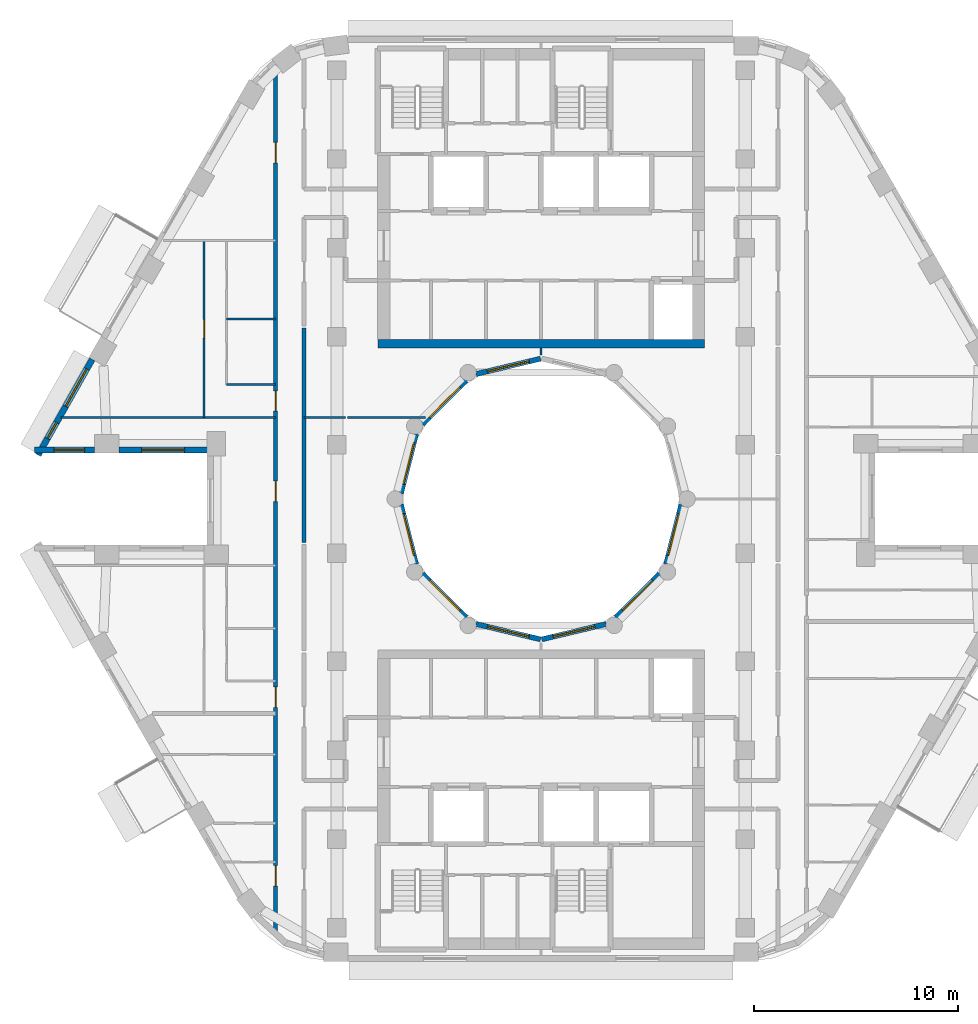
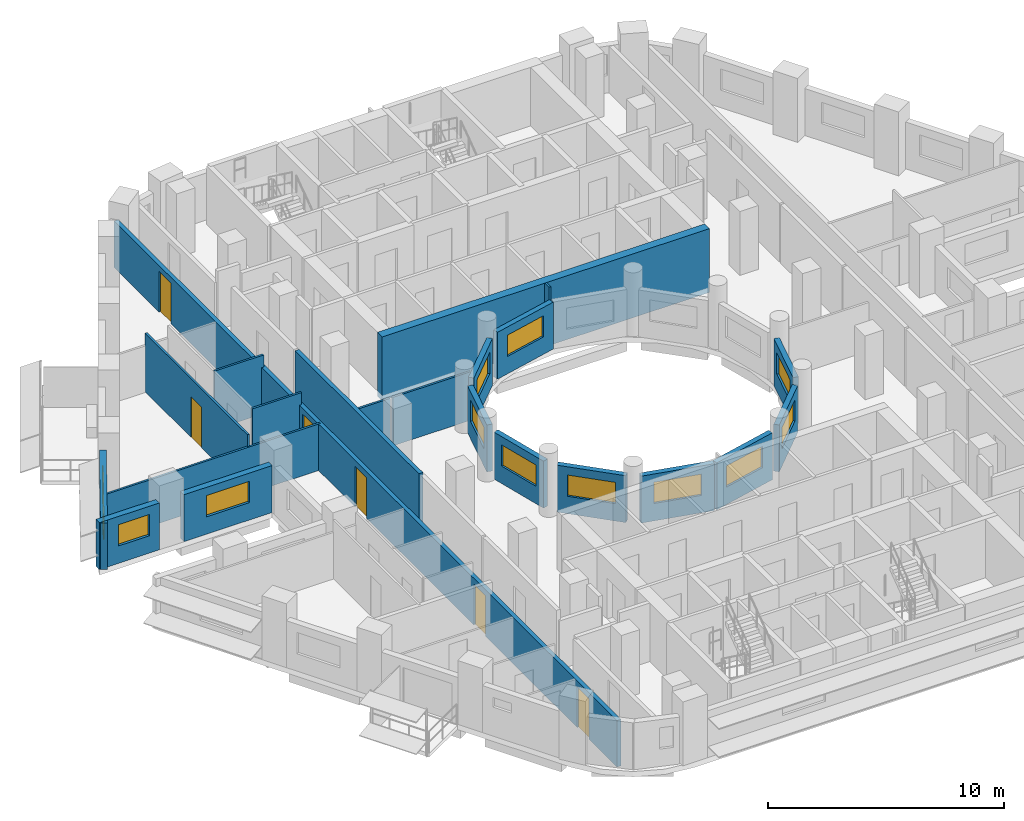
# One storey, part 5 of 17: 22 walls, 13 windows, 6 doors, 19 openings.
"""IFC4 building model written with IfcOpenShell, lengths in metres."""

from ifc_helpers import new_model, si_unit, direction, frame, frame_2d, origin, place, context, subcontext, project, spatial, rectangle, extrude, material, layer, layer_set, type_object, element, fill, save


model = new_model("IFC4")

# Units and contexts
model_context = context("Model", 3, precision=1e-05, world=origin(), true_north=direction((0.0, 1.0)))
body_context = subcontext(model_context, "Body", "Model", "MODEL_VIEW")
ifc_project = project(units=[si_unit("LENGTHUNIT", "METRE"), si_unit("AREAUNIT", "SQUARE_METRE"), si_unit("VOLUMEUNIT", "CUBIC_METRE"), si_unit("PLANEANGLEUNIT", "RADIAN"), si_unit("MASSUNIT", "GRAM", prefix="KILO")], contexts=[model_context])

# Site, building, storey
site_placement = place(None, origin())
site = spatial("IfcSite", under=ifc_project, at=site_placement, CompositionType="ELEMENT")
building_placement = place(site_placement, origin())
building = spatial("IfcBuilding", under=site, at=building_placement, Name="Nakaniwa Court", CompositionType="ELEMENT")
storey_placement = place(building_placement, frame((0.0, 0.0, 206.39990234375)))
storey = spatial("IfcBuildingStorey", under=building, at=storey_placement, Name="L54", CompositionType="ELEMENT", Elevation=206.39990234375)

# Wall
ifc_material_1 = material(Name="Acoustic double stud partition")
ifc_layer_1 = layer(ifc_material_1, 0.199951171875)
ifc_layer_set_1 = layer_set([ifc_layer_1], Name="Acoustic double stud partition")
wall_type_1 = type_object("IfcWallType", Name="Acoustic double stud partition 200", PredefinedType="PARTITIONING", material=ifc_layer_set_1)
wall_1_placement = place(storey_placement, frame((68.39990234375, 77.877197265625, 0.0), z_axis=(0.0, 0.0, 1.0), x_axis=(0.0, 1.0, 0.0)))
element("IfcWall", 1, at=wall_1_placement, inside=storey, type_object=wall_type_1, Name="Partition PW-104", PredefinedType="PARTITIONING", context=body_context, shape_type="SweptSolid", body=[
    extrude(rectangle(XDim=10.485595703125, YDim=0.199951171875, at=frame_2d((5.24267578125, 0.0))), origin(), (0.0, 0.0, 1.0), 3.025146484375),
])

# Wall, openings, doors
wall_2_placement = place(storey_placement, frame((67.0, 58.67431640625, 0.0), z_axis=(0.0, 0.0, 1.0), x_axis=(0.0, 1.0, 0.0)))
wall_2 = element("IfcWall", 2, at=wall_2_placement, inside=storey, type_object=wall_type_1, Name="Partition PW-107", PredefinedType="PARTITIONING", context=body_context, shape_type="SweptSolid", body=[
    extrude(rectangle(XDim=42.591796875, YDim=0.199951171875, at=frame_2d((21.2958984375, 0.0))), origin(), (0.0, 0.0, 1.0), 2.405029296875),
])
opening_1_placement = place(wall_2_placement, frame((2.3759765625, 0.0, 0.0)))
opening_1 = element("IfcOpeningElement", 3, at=opening_1_placement, cuts=wall_2, Name="Opening D-01-03", PredefinedType="OPENING", context=body_context, shape_type="SweptSolid", body=[
    extrude(rectangle(XDim=1.0, YDim=2.10009765625, at=frame_2d((0.5, 1.050048828125))), frame((0.0, 0.10986328125, 0.0), z_axis=(0.0, -1.0, 0.0), x_axis=(1.0, 0.0, 0.0)), (0.0, 0.0, 1.0), 0.219970703125),
])
opening_2_placement = place(wall_2_placement, frame((11.1259765625, 0.0, 0.0)))
opening_2 = element("IfcOpeningElement", 4, at=opening_2_placement, cuts=wall_2, Name="Opening D-01-04", PredefinedType="OPENING", context=body_context, shape_type="SweptSolid", body=[
    extrude(rectangle(XDim=1.0, YDim=2.10009765625, at=frame_2d((0.5, 1.050048828125))), frame((0.0, 0.10986328125, 0.0), z_axis=(0.0, -1.0, 0.0), x_axis=(1.0, 0.0, 0.0)), (0.0, 0.0, 1.0), 0.219970703125),
])
opening_3_placement = place(wall_2_placement, frame((25.6259765625, 0.0, 0.0)))
opening_3 = element("IfcOpeningElement", 5, at=opening_3_placement, cuts=wall_2, Name="Opening D-01-05", PredefinedType="OPENING", context=body_context, shape_type="SweptSolid", body=[
    extrude(rectangle(XDim=1.0, YDim=2.10009765625, at=frame_2d((0.5, 1.050048828125))), frame((0.0, 0.10986328125, 0.0), z_axis=(0.0, -1.0, 0.0), x_axis=(1.0, 0.0, 0.0)), (0.0, 0.0, 1.0), 0.219970703125),
])
opening_4_placement = place(wall_2_placement, frame((21.199951171875, 0.0, 0.0)))
opening_4 = element("IfcOpeningElement", 6, at=opening_4_placement, cuts=wall_2, Name="Opening D-02-10", PredefinedType="OPENING", context=body_context, shape_type="SweptSolid", body=[
    extrude(rectangle(XDim=1.0, YDim=2.10009765625, at=frame_2d((0.5, 1.050048828125))), frame((0.0, 0.10986328125, 0.0), z_axis=(0.0, -1.0, 0.0), x_axis=(1.0, 0.0, 0.0)), (0.0, 0.0, 1.0), 0.219970703125),
])
opening_5_placement = place(wall_2_placement, frame((37.7880859375, 0.0, 0.0)))
opening_5 = element("IfcOpeningElement", 7, at=opening_5_placement, cuts=wall_2, Name="Opening D-02-11", PredefinedType="OPENING", context=body_context, shape_type="SweptSolid", body=[
    extrude(rectangle(XDim=1.0, YDim=2.10009765625, at=frame_2d((0.5, 1.050048828125))), frame((0.0, 0.10986328125, 0.0), z_axis=(0.0, -1.0, 0.0), x_axis=(1.0, 0.0, 0.0)), (0.0, 0.0, 1.0), 0.219970703125),
])
ifc_material_2 = material(Name="Solid core timber door set, black veneer", Category="wood")
door_type_1 = type_object("IfcDoorType", Name="Flat entrance door 1000", OperationType="NOTDEFINED", PredefinedType="DOOR", material=ifc_material_2)
door_1_placement = place(opening_1_placement, origin())
door_1 = element("IfcDoor", 8, at=door_1_placement, inside=storey, type_object=door_type_1, Name="Door D-01-03 L54-042", OperationType="SINGLE_SWING_LEFT", OverallHeight=2.10009765625, OverallWidth=1.0, PredefinedType="DOOR", context=body_context, shape_type="SweptSolid", body=[
    extrude(rectangle(XDim=1.0, YDim=2.10009765625, at=frame_2d((0.5, 1.050048828125))), frame((0.0, 0.02490234375, 0.0), z_axis=(0.0, -1.0, 0.0), x_axis=(1.0, 0.0, 0.0)), (0.0, 0.0, 1.0), 0.050048828125),
])
fill(opening_1, door_1)
door_2_placement = place(opening_2_placement, origin())
door_2 = element("IfcDoor", 9, at=door_2_placement, inside=storey, type_object=door_type_1, Name="Door D-01-04 L54-046", OperationType="SINGLE_SWING_LEFT", OverallHeight=2.10009765625, OverallWidth=1.0, PredefinedType="DOOR", context=body_context, shape_type="SweptSolid", body=[
    extrude(rectangle(XDim=1.0, YDim=2.10009765625, at=frame_2d((0.5, 1.050048828125))), frame((0.0, 0.02490234375, 0.0), z_axis=(0.0, -1.0, 0.0), x_axis=(1.0, 0.0, 0.0)), (0.0, 0.0, 1.0), 0.050048828125),
])
fill(opening_2, door_2)
door_3_placement = place(opening_3_placement, origin())
door_3 = element("IfcDoor", 10, at=door_3_placement, inside=storey, type_object=door_type_1, Name="Door D-01-05 L54-052", OperationType="SINGLE_SWING_LEFT", OverallHeight=2.10009765625, OverallWidth=1.0, PredefinedType="DOOR", context=body_context, shape_type="SweptSolid", body=[
    extrude(rectangle(XDim=1.0, YDim=2.10009765625, at=frame_2d((0.5, 1.050048828125))), frame((0.0, 0.02490234375, 0.0), z_axis=(0.0, -1.0, 0.0), x_axis=(1.0, 0.0, 0.0)), (0.0, 0.0, 1.0), 0.050048828125),
])
fill(opening_3, door_3)
door_type_2 = type_object("IfcDoorType", Name="Internal door 1000", OperationType="NOTDEFINED", PredefinedType="DOOR", material=ifc_material_2)
door_4_placement = place(opening_4_placement, origin())
door_4 = element("IfcDoor", 11, at=door_4_placement, inside=storey, type_object=door_type_2, Name="Door D-02-10 L54-059", OperationType="SINGLE_SWING_RIGHT", OverallHeight=2.10009765625, OverallWidth=1.0, PredefinedType="DOOR", context=body_context, shape_type="SweptSolid", body=[
    extrude(rectangle(XDim=1.0, YDim=2.10009765625, at=frame_2d((0.5, 1.050048828125))), frame((0.0, 0.02490234375, 0.0), z_axis=(0.0, -1.0, 0.0), x_axis=(1.0, 0.0, 0.0)), (0.0, 0.0, 1.0), 0.050048828125),
])
fill(opening_4, door_4)
door_5_placement = place(opening_5_placement, origin())
door_5 = element("IfcDoor", 12, at=door_5_placement, inside=storey, type_object=door_type_2, Name="Door D-02-11 L54-060", OperationType="SINGLE_SWING_LEFT", OverallHeight=2.10009765625, OverallWidth=1.0, PredefinedType="DOOR", context=body_context, shape_type="SweptSolid", body=[
    extrude(rectangle(XDim=1.0, YDim=2.10009765625, at=frame_2d((0.5, 1.050048828125))), frame((0.0, 0.02490234375, 0.0), z_axis=(0.0, -1.0, 0.0), x_axis=(1.0, 0.0, 0.0)), (0.0, 0.0, 1.0), 0.050048828125),
])
fill(opening_5, door_5)

# Wall, openings, windows
ifc_material_3 = material(Name="Charcoal ceramic cladding")
ifc_layer_2 = layer(ifc_material_3, 0.02, Name="Ceramic cladding")
ifc_material_4 = material(Name="Ventilated air cavity")
ifc_layer_3 = layer(ifc_material_4, 0.04, ventilated=True, Name="Ventilated cavity")
ifc_material_5 = material(Name="Mineral wool insulation")
ifc_layer_4 = layer(ifc_material_5, 0.1, Name="Insulation")
ifc_material_6 = material(Name="Cement bonded sheathing board")
ifc_layer_5 = layer(ifc_material_6, 0.012, Name="Sheathing")
ifc_material_7 = material(Name="Cold-formed galvanised stud frame with mineral wool infill")
ifc_layer_6 = layer(ifc_material_7, 0.1, Name="Stud frame")
ifc_material_8 = material(Name="Fire-rated gypsum plasterboard lining")
ifc_layer_7 = layer(ifc_material_8, 0.028, Name="Lining")
ifc_layer_set_2 = layer_set([ifc_layer_2, ifc_layer_3, ifc_layer_4, ifc_layer_5, ifc_layer_6, ifc_layer_7], Name="Charcoal ceramic faced external wall system")
wall_type_2 = type_object("IfcWallType", Name="Black ceramic faced external wall 300", PredefinedType="SOLIDWALL", material=ifc_layer_set_2)
wall_3_placement = place(storey_placement, frame((58.023193359375, 86.843017578125, 0.0), z_axis=(0.0, 0.0, 1.0), x_axis=(-0.492033360928, -0.870576344575, 0.0)))
wall_3 = element("IfcWall", 13, at=wall_3_placement, inside=storey, type_object=wall_type_2, Name="L54 external wall 14", PredefinedType="SOLIDWALL", context=body_context, shape_type="SweptSolid", body=[
    extrude(rectangle(XDim=5.38671875, YDim=0.300048828125, at=frame_2d((2.693359375, 0.0))), origin(), (0.0, 0.0, 1.0), 2.425048828125),
])
opening_6_placement = place(wall_3_placement, frame((0.547607421875, 0.0, 0.89990234375)))
opening_6 = element("IfcOpeningElement", 14, at=opening_6_placement, cuts=wall_3, Name="Opening W7.15", PredefinedType="OPENING", context=body_context, shape_type="SweptSolid", body=[
    extrude(rectangle(XDim=2.10009765625, YDim=1.10009765625, at=frame_2d((1.050048828125, 0.550048828125))), frame((0.0, 0.159912109375, 0.0), z_axis=(0.0, -1.0, 0.0), x_axis=(1.0, 0.0, 0.0)), (0.0, 0.0, 1.0), 0.320068359375),
])
opening_7_placement = place(wall_3_placement, frame((3.552490234375, 0.0, 0.89990234375)))
opening_7 = element("IfcOpeningElement", 15, at=opening_7_placement, cuts=wall_3, Name="Opening W9.16", PredefinedType="OPENING", context=body_context, shape_type="SweptSolid", body=[
    extrude(rectangle(XDim=0.89990234375, YDim=1.10009765625, at=frame_2d((0.449951171875, 0.550048828125))), frame((0.0, 0.159912109375, 0.0), z_axis=(0.0, -1.0, 0.0), x_axis=(1.0, 0.0, 0.0)), (0.0, 0.0, 1.0), 0.320068359375),
])
ifc_material_9 = material(Name="Black anodised aluminium frame with dark low-E laminated double glazing", Category="aluminium")
window_type_1 = type_object("IfcWindowType", Name="Dark glass window 2100x1100 sill 900", PartitioningType="SINGLE_PANEL", PredefinedType="WINDOW", material=ifc_material_9)
window_1_placement = place(opening_6_placement, origin())
window_1 = element("IfcWindow", 16, at=window_1_placement, inside=storey, type_object=window_type_1, Name="L54 living window 14-0", OverallHeight=1.10009765625, OverallWidth=2.10009765625, PartitioningType="SINGLE_PANEL", PredefinedType="WINDOW", context=body_context, shape_type="SweptSolid", body=[
    extrude(rectangle(XDim=2.10009765625, YDim=1.10009765625, at=frame_2d((1.050048828125, 0.550048828125))), frame((0.0, 0.030029296875, 0.0), z_axis=(0.0, -1.0, 0.0), x_axis=(1.0, 0.0, 0.0)), (0.0, 0.0, 1.0), 0.06005859375),
])
fill(opening_6, window_1)
window_type_2 = type_object("IfcWindowType", Name="Dark glass window 900x1100 sill 900", PartitioningType="SINGLE_PANEL", PredefinedType="WINDOW", material=ifc_material_9)
window_2_placement = place(opening_7_placement, origin())
window_2 = element("IfcWindow", 17, at=window_2_placement, inside=storey, type_object=window_type_2, Name="L54 habitable room window 14-1", OverallHeight=1.10009765625, OverallWidth=0.89990234375, PartitioningType="SINGLE_PANEL", PredefinedType="WINDOW", context=body_context, shape_type="SweptSolid", body=[
    extrude(rectangle(XDim=0.89990234375, YDim=1.10009765625, at=frame_2d((0.449951171875, 0.550048828125))), frame((0.0, 0.030029296875, 0.0), z_axis=(0.0, -1.0, 0.0), x_axis=(1.0, 0.0, 0.0)), (0.0, 0.0, 1.0), 0.06005859375),
])
fill(opening_7, window_2)

# Wall, opening, window
wall_4_placement = place(storey_placement, frame((55.2021484375, 82.39990234375, 0.0), z_axis=(0.0, 0.0, 1.0), x_axis=(1.0, 0.0, 0.0)))
wall_4 = element("IfcWall", 18, at=wall_4_placement, inside=storey, type_object=wall_type_2, Name="L54 external wall 15", PredefinedType="SOLIDWALL", context=body_context, shape_type="SweptSolid", body=[
    extrude(rectangle(XDim=2.937744140625, YDim=0.300048828125, at=frame_2d((1.46875, 0.0))), origin(), (0.0, 0.0, 1.0), 2.425048828125),
])
opening_8_placement = place(wall_4_placement, frame((0.944091796875, 0.0, 0.89990234375)))
opening_8 = element("IfcOpeningElement", 19, at=opening_8_placement, cuts=wall_4, Name="Opening W5.17", PredefinedType="OPENING", context=body_context, shape_type="SweptSolid", body=[
    extrude(rectangle(XDim=1.5, YDim=1.10009765625, at=frame_2d((0.75, 0.550048828125))), frame((0.0, 0.159912109375, 0.0), z_axis=(0.0, -1.0, 0.0), x_axis=(1.0, 0.0, 0.0)), (0.0, 0.0, 1.0), 0.320068359375),
])
window_type_3 = type_object("IfcWindowType", Name="Dark glass window 1500x1100 sill 900", PartitioningType="SINGLE_PANEL", PredefinedType="WINDOW", material=ifc_material_9)
window_3_placement = place(opening_8_placement, origin())
window_3 = element("IfcWindow", 20, at=window_3_placement, inside=storey, type_object=window_type_3, Name="L54 habitable room window 15-0", OverallHeight=1.10009765625, OverallWidth=1.5, PartitioningType="SINGLE_PANEL", PredefinedType="WINDOW", context=body_context, shape_type="SweptSolid", body=[
    extrude(rectangle(XDim=1.5, YDim=1.10009765625, at=frame_2d((0.75, 0.550048828125))), frame((0.0, 0.030029296875, 0.0), z_axis=(0.0, -1.0, 0.0), x_axis=(1.0, 0.0, 0.0)), (0.0, 0.0, 1.0), 0.06005859375),
])
fill(opening_8, window_3)

wall_5_placement = place(storey_placement, frame((59.33203125, 82.39990234375, 0.0), z_axis=(0.0, 0.0, 1.0), x_axis=(1.0, 0.0, 0.0)))
wall_5 = element("IfcWall", 21, at=wall_5_placement, inside=storey, type_object=wall_type_2, Name="L54 external wall 16", PredefinedType="SOLIDWALL", context=body_context, shape_type="SweptSolid", body=[
    extrude(rectangle(XDim=4.322509765625, YDim=0.300048828125, at=frame_2d((2.1611328125, 0.0))), origin(), (0.0, 0.0, 1.0), 2.425048828125),
])
opening_9_placement = place(wall_5_placement, frame((1.111083984375, 0.0, 0.89990234375)))
opening_9 = element("IfcOpeningElement", 22, at=opening_9_placement, cuts=wall_5, Name="Opening W7.18", PredefinedType="OPENING", context=body_context, shape_type="SweptSolid", body=[
    extrude(rectangle(XDim=2.10009765625, YDim=1.10009765625, at=frame_2d((1.050048828125, 0.550048828125))), frame((0.0, 0.159912109375, 0.0), z_axis=(0.0, -1.0, 0.0), x_axis=(1.0, 0.0, 0.0)), (0.0, 0.0, 1.0), 0.320068359375),
])
window_4_placement = place(opening_9_placement, origin())
window_4 = element("IfcWindow", 23, at=window_4_placement, inside=storey, type_object=window_type_1, Name="L54 habitable room window 16-0", OverallHeight=1.10009765625, OverallWidth=2.10009765625, PartitioningType="SINGLE_PANEL", PredefinedType="WINDOW", context=body_context, shape_type="SweptSolid", body=[
    extrude(rectangle(XDim=2.10009765625, YDim=1.10009765625, at=frame_2d((1.050048828125, 0.550048828125))), frame((0.0, 0.030029296875, 0.0), z_axis=(0.0, -1.0, 0.0), x_axis=(1.0, 0.0, 0.0)), (0.0, 0.0, 1.0), 0.06005859375),
])
fill(opening_9, window_4)

ifc_layer_8 = layer(ifc_material_3, 0.02, Name="Ceramic cladding")
ifc_layer_9 = layer(ifc_material_4, 0.04, ventilated=True, Name="Ventilated cavity")
ifc_layer_10 = layer(ifc_material_5, 0.075, Name="Insulation")
ifc_layer_11 = layer(ifc_material_6, 0.012, Name="Sheathing")
ifc_layer_12 = layer(ifc_material_7, 0.075, Name="Stud frame")
ifc_layer_13 = layer(ifc_material_8, 0.028, Name="Lining")
ifc_layer_set_3 = layer_set([ifc_layer_8, ifc_layer_9, ifc_layer_10, ifc_layer_11, ifc_layer_12, ifc_layer_13], Name="Charcoal ceramic faced external wall system")
wall_type_3 = type_object("IfcWallType", Name="Charcoal ceramic faced well wall 250", PredefinedType="SOLIDWALL", material=ifc_layer_set_3)
wall_6_placement = place(storey_placement, frame((86.8603515625, 79.72998046875, 0.0), z_axis=(0.0, 0.0, 1.0), x_axis=(-0.247055971283, -0.969001211069, 0.0)))
wall_6 = element("IfcWall", 24, at=wall_6_placement, inside=storey, type_object=wall_type_3, Name="L54 external wall 36", PredefinedType="SOLIDWALL", context=body_context, shape_type="SweptSolid", body=[
    extrude(rectangle(XDim=3.010009765625, YDim=0.25, at=frame_2d((1.5048828125, 0.0))), origin(), (0.0, 0.0, 1.0), 2.425048828125),
])
opening_10_placement = place(wall_6_placement, frame((0.46875, 0.0, 0.89990234375)))
opening_10 = element("IfcOpeningElement", 25, at=opening_10_placement, cuts=wall_6, Name="Opening W7.36", PredefinedType="OPENING", context=body_context, shape_type="SweptSolid", body=[
    extrude(rectangle(XDim=2.10009765625, YDim=1.10009765625, at=frame_2d((1.050048828125, 0.550048828125))), frame((0.0, 0.135009765625, 0.0), z_axis=(0.0, -1.0, 0.0), x_axis=(1.0, 0.0, 0.0)), (0.0, 0.0, 1.0), 0.27001953125),
])
window_5_placement = place(opening_10_placement, origin())
window_5 = element("IfcWindow", 26, at=window_5_placement, inside=storey, type_object=window_type_1, Name="L54 habitable room window 36-0", OverallHeight=1.10009765625, OverallWidth=2.10009765625, PartitioningType="SINGLE_PANEL", PredefinedType="WINDOW", context=body_context, shape_type="SweptSolid", body=[
    extrude(rectangle(XDim=2.10009765625, YDim=1.10009765625, at=frame_2d((1.050048828125, 0.550048828125))), frame((0.0, 0.030029296875, 0.0), z_axis=(0.0, -1.0, 0.0), x_axis=(1.0, 0.0, 0.0)), (0.0, 0.0, 1.0), 0.06005859375),
])
fill(opening_10, window_5)

wall_7_placement = place(storey_placement, frame((85.8056640625, 76.339111328125, 0.0), z_axis=(0.0, 0.0, 1.0), x_axis=(-0.707106781187, -0.707106781187, 0.0)))
wall_7 = element("IfcWall", 27, at=wall_7_placement, inside=storey, type_object=wall_type_3, Name="L54 external wall 37", PredefinedType="SOLIDWALL", context=body_context, shape_type="SweptSolid", body=[
    extrude(rectangle(XDim=3.033203125, YDim=0.25, at=frame_2d((1.5166015625, 0.0))), origin(), (0.0, 0.0, 1.0), 2.425048828125),
])
opening_11_placement = place(wall_7_placement, frame((0.466552734375, 0.0, 0.89990234375)))
opening_11 = element("IfcOpeningElement", 28, at=opening_11_placement, cuts=wall_7, Name="Opening W7.37", PredefinedType="OPENING", context=body_context, shape_type="SweptSolid", body=[
    extrude(rectangle(XDim=2.10009765625, YDim=1.10009765625, at=frame_2d((1.050048828125, 0.550048828125))), frame((0.0, 0.135009765625, 0.0), z_axis=(0.0, -1.0, 0.0), x_axis=(1.0, 0.0, 0.0)), (0.0, 0.0, 1.0), 0.27001953125),
])
window_6_placement = place(opening_11_placement, origin())
window_6 = element("IfcWindow", 29, at=window_6_placement, inside=storey, type_object=window_type_1, Name="L54 habitable room window 37-0", OverallHeight=1.10009765625, OverallWidth=2.10009765625, PartitioningType="SINGLE_PANEL", PredefinedType="WINDOW", context=body_context, shape_type="SweptSolid", body=[
    extrude(rectangle(XDim=2.10009765625, YDim=1.10009765625, at=frame_2d((1.050048828125, 0.550048828125))), frame((0.0, 0.030029296875, 0.0), z_axis=(0.0, -1.0, 0.0), x_axis=(1.0, 0.0, 0.0)), (0.0, 0.0, 1.0), 0.06005859375),
])
fill(opening_11, window_6)

wall_8_placement = place(storey_placement, frame((83.186279296875, 73.880615234375, 0.0), z_axis=(0.0, 0.0, 1.0), x_axis=(-0.972773113459, -0.231759508395, 0.0)))
wall_8 = element("IfcWall", 30, at=wall_8_placement, inside=storey, type_object=wall_type_3, Name="L54 external wall 38", PredefinedType="SOLIDWALL", context=body_context, shape_type="SweptSolid", body=[
    extrude(rectangle(XDim=3.24560546875, YDim=0.25, at=frame_2d((1.622802734375, 0.0))), origin(), (0.0, 0.0, 1.0), 2.425048828125),
])
opening_12_placement = place(wall_8_placement, frame((0.57275390625, 0.0, 0.89990234375)))
opening_12 = element("IfcOpeningElement", 31, at=opening_12_placement, cuts=wall_8, Name="Opening W7.38", PredefinedType="OPENING", context=body_context, shape_type="SweptSolid", body=[
    extrude(rectangle(XDim=2.10009765625, YDim=1.10009765625, at=frame_2d((1.050048828125, 0.550048828125))), frame((0.0, 0.135009765625, 0.0), z_axis=(0.0, -1.0, 0.0), x_axis=(1.0, 0.0, 0.0)), (0.0, 0.0, 1.0), 0.27001953125),
])
window_7_placement = place(opening_12_placement, origin())
window_7 = element("IfcWindow", 32, at=window_7_placement, inside=storey, type_object=window_type_1, Name="L54 habitable room window 38-0", OverallHeight=1.10009765625, OverallWidth=2.10009765625, PartitioningType="SINGLE_PANEL", PredefinedType="WINDOW", context=body_context, shape_type="SweptSolid", body=[
    extrude(rectangle(XDim=2.10009765625, YDim=1.10009765625, at=frame_2d((1.050048828125, 0.550048828125))), frame((0.0, 0.030029296875, 0.0), z_axis=(0.0, -1.0, 0.0), x_axis=(1.0, 0.0, 0.0)), (0.0, 0.0, 1.0), 0.06005859375),
])
fill(opening_12, window_7)

wall_9_placement = place(storey_placement, frame((79.970947265625, 73.12841796875, 0.0), z_axis=(0.0, 0.0, 1.0), x_axis=(-0.972773113459, 0.231759508395, 0.0)))
wall_9 = element("IfcWall", 33, at=wall_9_placement, inside=storey, type_object=wall_type_3, Name="L54 external wall 39", PredefinedType="SOLIDWALL", context=body_context, shape_type="SweptSolid", body=[
    extrude(rectangle(XDim=3.24560546875, YDim=0.25, at=frame_2d((1.622802734375, 0.0))), origin(), (0.0, 0.0, 1.0), 2.425048828125),
])
opening_13_placement = place(wall_9_placement, frame((0.57275390625, 0.0, 0.89990234375)))
opening_13 = element("IfcOpeningElement", 34, at=opening_13_placement, cuts=wall_9, Name="Opening W7.39", PredefinedType="OPENING", context=body_context, shape_type="SweptSolid", body=[
    extrude(rectangle(XDim=2.10009765625, YDim=1.10009765625, at=frame_2d((1.050048828125, 0.550048828125))), frame((0.0, 0.135009765625, 0.0), z_axis=(0.0, -1.0, 0.0), x_axis=(1.0, 0.0, 0.0)), (0.0, 0.0, 1.0), 0.27001953125),
])
window_8_placement = place(opening_13_placement, origin())
window_8 = element("IfcWindow", 35, at=window_8_placement, inside=storey, type_object=window_type_1, Name="L54 habitable room window 39-0", OverallHeight=1.10009765625, OverallWidth=2.10009765625, PartitioningType="SINGLE_PANEL", PredefinedType="WINDOW", context=body_context, shape_type="SweptSolid", body=[
    extrude(rectangle(XDim=2.10009765625, YDim=1.10009765625, at=frame_2d((1.050048828125, 0.550048828125))), frame((0.0, 0.030029296875, 0.0), z_axis=(0.0, -1.0, 0.0), x_axis=(1.0, 0.0, 0.0)), (0.0, 0.0, 1.0), 0.06005859375),
])
fill(opening_13, window_8)

wall_10_placement = place(storey_placement, frame((76.339111328125, 74.1943359375, 0.0), z_axis=(0.0, 0.0, 1.0), x_axis=(-0.707106781187, 0.707106781187, 0.0)))
wall_10 = element("IfcWall", 36, at=wall_10_placement, inside=storey, type_object=wall_type_3, Name="L54 external wall 40", PredefinedType="SOLIDWALL", context=body_context, shape_type="SweptSolid", body=[
    extrude(rectangle(XDim=3.033203125, YDim=0.25, at=frame_2d((1.5166015625, 0.0))), origin(), (0.0, 0.0, 1.0), 2.425048828125),
])
opening_14_placement = place(wall_10_placement, frame((0.466552734375, 0.0, 0.89990234375)))
opening_14 = element("IfcOpeningElement", 37, at=opening_14_placement, cuts=wall_10, Name="Opening W7.40", PredefinedType="OPENING", context=body_context, shape_type="SweptSolid", body=[
    extrude(rectangle(XDim=2.10009765625, YDim=1.10009765625, at=frame_2d((1.050048828125, 0.550048828125))), frame((0.0, 0.135009765625, 0.0), z_axis=(0.0, -1.0, 0.0), x_axis=(1.0, 0.0, 0.0)), (0.0, 0.0, 1.0), 0.27001953125),
])
window_9_placement = place(opening_14_placement, origin())
window_9 = element("IfcWindow", 38, at=window_9_placement, inside=storey, type_object=window_type_1, Name="L54 habitable room window 40-0", OverallHeight=1.10009765625, OverallWidth=2.10009765625, PartitioningType="SINGLE_PANEL", PredefinedType="WINDOW", context=body_context, shape_type="SweptSolid", body=[
    extrude(rectangle(XDim=2.10009765625, YDim=1.10009765625, at=frame_2d((1.050048828125, 0.550048828125))), frame((0.0, 0.030029296875, 0.0), z_axis=(0.0, -1.0, 0.0), x_axis=(1.0, 0.0, 0.0)), (0.0, 0.0, 1.0), 0.06005859375),
])
fill(opening_14, window_9)

wall_11_placement = place(storey_placement, frame((73.88330078125, 76.813232421875, 0.0), z_axis=(0.0, 0.0, 1.0), x_axis=(-0.247055971283, 0.969001211069, 0.0)))
wall_11 = element("IfcWall", 39, at=wall_11_placement, inside=storey, type_object=wall_type_3, Name="L54 external wall 41", PredefinedType="SOLIDWALL", context=body_context, shape_type="SweptSolid", body=[
    extrude(rectangle(XDim=3.010009765625, YDim=0.25, at=frame_2d((1.5048828125, 0.0))), origin(), (0.0, 0.0, 1.0), 2.425048828125),
])
opening_15_placement = place(wall_11_placement, frame((0.441162109375, 0.0, 0.89990234375)))
opening_15 = element("IfcOpeningElement", 40, at=opening_15_placement, cuts=wall_11, Name="Opening W7.41", PredefinedType="OPENING", context=body_context, shape_type="SweptSolid", body=[
    extrude(rectangle(XDim=2.10009765625, YDim=1.10009765625, at=frame_2d((1.050048828125, 0.550048828125))), frame((0.0, 0.135009765625, 0.0), z_axis=(0.0, -1.0, 0.0), x_axis=(1.0, 0.0, 0.0)), (0.0, 0.0, 1.0), 0.27001953125),
])
window_10_placement = place(opening_15_placement, origin())
window_10 = element("IfcWindow", 41, at=window_10_placement, inside=storey, type_object=window_type_1, Name="L54 habitable room window 41-0", OverallHeight=1.10009765625, OverallWidth=2.10009765625, PartitioningType="SINGLE_PANEL", PredefinedType="WINDOW", context=body_context, shape_type="SweptSolid", body=[
    extrude(rectangle(XDim=2.10009765625, YDim=1.10009765625, at=frame_2d((1.050048828125, 0.550048828125))), frame((0.0, 0.030029296875, 0.0), z_axis=(0.0, -1.0, 0.0), x_axis=(1.0, 0.0, 0.0)), (0.0, 0.0, 1.0), 0.06005859375),
])
fill(opening_15, window_10)

wall_12_placement = place(storey_placement, frame((73.1396484375, 80.27001953125, 0.0), z_axis=(0.0, 0.0, 1.0), x_axis=(0.247055971283, 0.969001211069, 0.0)))
wall_12 = element("IfcWall", 42, at=wall_12_placement, inside=storey, type_object=wall_type_3, Name="L54 external wall 42", PredefinedType="SOLIDWALL", context=body_context, shape_type="SweptSolid", body=[
    extrude(rectangle(XDim=3.010009765625, YDim=0.25, at=frame_2d((1.5048828125, 0.0))), origin(), (0.0, 0.0, 1.0), 2.425048828125),
])
opening_16_placement = place(wall_12_placement, frame((0.46875, 0.0, 0.89990234375)))
opening_16 = element("IfcOpeningElement", 43, at=opening_16_placement, cuts=wall_12, Name="Opening W7.42", PredefinedType="OPENING", context=body_context, shape_type="SweptSolid", body=[
    extrude(rectangle(XDim=2.10009765625, YDim=1.10009765625, at=frame_2d((1.050048828125, 0.550048828125))), frame((0.0, 0.135009765625, 0.0), z_axis=(0.0, -1.0, 0.0), x_axis=(1.0, 0.0, 0.0)), (0.0, 0.0, 1.0), 0.27001953125),
])
window_11_placement = place(opening_16_placement, origin())
window_11 = element("IfcWindow", 44, at=window_11_placement, inside=storey, type_object=window_type_1, Name="L54 habitable room window 42-0", OverallHeight=1.10009765625, OverallWidth=2.10009765625, PartitioningType="SINGLE_PANEL", PredefinedType="WINDOW", context=body_context, shape_type="SweptSolid", body=[
    extrude(rectangle(XDim=2.10009765625, YDim=1.10009765625, at=frame_2d((1.050048828125, 0.550048828125))), frame((0.0, 0.030029296875, 0.0), z_axis=(0.0, -1.0, 0.0), x_axis=(1.0, 0.0, 0.0)), (0.0, 0.0, 1.0), 0.06005859375),
])
fill(opening_16, window_11)

wall_13_placement = place(storey_placement, frame((74.1943359375, 83.660888671875, 0.0), z_axis=(0.0, 0.0, 1.0), x_axis=(0.707106781187, 0.707106781187, 0.0)))
wall_13 = element("IfcWall", 45, at=wall_13_placement, inside=storey, type_object=wall_type_3, Name="L54 external wall 43", PredefinedType="SOLIDWALL", context=body_context, shape_type="SweptSolid", body=[
    extrude(rectangle(XDim=3.033203125, YDim=0.25, at=frame_2d((1.5166015625, 0.0))), origin(), (0.0, 0.0, 1.0), 2.425048828125),
])
opening_17_placement = place(wall_13_placement, frame((0.480712890625, 0.0, 0.89990234375)))
opening_17 = element("IfcOpeningElement", 46, at=opening_17_placement, cuts=wall_13, Name="Opening W7.43", PredefinedType="OPENING", context=body_context, shape_type="SweptSolid", body=[
    extrude(rectangle(XDim=2.10009765625, YDim=1.10009765625, at=frame_2d((1.050048828125, 0.550048828125))), frame((0.0, 0.135009765625, 0.0), z_axis=(0.0, -1.0, 0.0), x_axis=(1.0, 0.0, 0.0)), (0.0, 0.0, 1.0), 0.27001953125),
])
window_12_placement = place(opening_17_placement, origin())
window_12 = element("IfcWindow", 47, at=window_12_placement, inside=storey, type_object=window_type_1, Name="L54 habitable room window 43-1", OverallHeight=1.10009765625, OverallWidth=2.10009765625, PartitioningType="SINGLE_PANEL", PredefinedType="WINDOW", context=body_context, shape_type="SweptSolid", body=[
    extrude(rectangle(XDim=2.10009765625, YDim=1.10009765625, at=frame_2d((1.050048828125, 0.550048828125))), frame((0.0, 0.030029296875, 0.0), z_axis=(0.0, -1.0, 0.0), x_axis=(1.0, 0.0, 0.0)), (0.0, 0.0, 1.0), 0.06005859375),
])
fill(opening_17, window_12)

wall_14_placement = place(storey_placement, frame((76.813720703125, 86.119384765625, 0.0), z_axis=(0.0, 0.0, 1.0), x_axis=(0.972773113459, 0.231759508395, 0.0)))
wall_14 = element("IfcWall", 48, at=wall_14_placement, inside=storey, type_object=wall_type_3, Name="L54 external wall 44", PredefinedType="SOLIDWALL", context=body_context, shape_type="SweptSolid", body=[
    extrude(rectangle(XDim=3.24560546875, YDim=0.25, at=frame_2d((1.622802734375, 0.0))), origin(), (0.0, 0.0, 1.0), 2.425048828125),
])
opening_18_placement = place(wall_14_placement, frame((0.57275390625, 0.0, 0.89990234375)))
opening_18 = element("IfcOpeningElement", 49, at=opening_18_placement, cuts=wall_14, Name="Opening W7.44", PredefinedType="OPENING", context=body_context, shape_type="SweptSolid", body=[
    extrude(rectangle(XDim=2.10009765625, YDim=1.10009765625, at=frame_2d((1.050048828125, 0.550048828125))), frame((0.0, 0.135009765625, 0.0), z_axis=(0.0, -1.0, 0.0), x_axis=(1.0, 0.0, 0.0)), (0.0, 0.0, 1.0), 0.27001953125),
])
window_13_placement = place(opening_18_placement, origin())
window_13 = element("IfcWindow", 50, at=window_13_placement, inside=storey, type_object=window_type_1, Name="L54 habitable room window 44-0", OverallHeight=1.10009765625, OverallWidth=2.10009765625, PartitioningType="SINGLE_PANEL", PredefinedType="WINDOW", context=body_context, shape_type="SweptSolid", body=[
    extrude(rectangle(XDim=2.10009765625, YDim=1.10009765625, at=frame_2d((1.050048828125, 0.550048828125))), frame((0.0, 0.030029296875, 0.0), z_axis=(0.0, -1.0, 0.0), x_axis=(1.0, 0.0, 0.0)), (0.0, 0.0, 1.0), 0.06005859375),
])
fill(opening_18, window_13)

# Walls
ifc_material_10 = material(Name="Concrete C80/100", Category="concrete")
ifc_layer_14 = layer(ifc_material_10, 0.39990234375)
ifc_layer_set_4 = layer_set([ifc_layer_14], Name="Concrete C80/100")
wall_type_4 = type_object("IfcWallType", Name="Concrete core well wall 400 C80", PredefinedType="SHEAR", material=ifc_layer_set_4)
wall_15_placement = place(storey_placement, frame((72.00390625, 87.60009765625, -0.27490234375), z_axis=(0.0, 0.0, 1.0), x_axis=(1.0, 0.0, 0.0)))
element("IfcWall", 51, at=wall_15_placement, inside=storey, type_object=wall_type_4, Name="Core wall SW-143", PredefinedType="SHEAR", context=body_context, shape_type="SweptSolid", body=[
    extrude(rectangle(XDim=15.9921875, YDim=0.39990234375, at=frame_2d((7.99609375, 0.0))), origin(), (0.0, 0.0, 1.0), 3.300048828125),
])
ifc_material_11 = material(Name="Single stud plasterboard partition")
ifc_layer_15 = layer(ifc_material_11, 0.10009765625)
ifc_layer_set_5 = layer_set([ifc_layer_15], Name="Single stud plasterboard partition")
wall_type_5 = type_object("IfcWallType", Name="Single stud plasterboard partition 100", PredefinedType="PARTITIONING", material=ifc_layer_set_5)
wall_16_placement = place(storey_placement, frame((80.0, 87.048095703125, 0.0), z_axis=(0.0, 0.0, 1.0), x_axis=(0.0, 1.0, 0.0)))
element("IfcWall", 52, at=wall_16_placement, inside=storey, type_object=wall_type_5, Name="Partition PW-114", PredefinedType="PARTITIONING", context=body_context, shape_type="SweptSolid", body=[
    extrude(rectangle(XDim=0.351806640625, YDim=0.10009765625, at=frame_2d((0.17578125, 0.0))), origin(), (0.0, 0.0, 1.0), 3.025146484375),
])

# Wall, opening, door
wall_17_placement = place(storey_placement, frame((63.4990234375, 84.0, 0.0), z_axis=(0.0, 0.0, 1.0), x_axis=(0.0, 1.0, 0.0)))
wall_17 = element("IfcWall", 53, at=wall_17_placement, inside=storey, type_object=wall_type_5, Name="Partition PW-136", PredefinedType="PARTITIONING", context=body_context, shape_type="SweptSolid", body=[
    extrude(rectangle(XDim=8.66259765625, YDim=0.10009765625, at=frame_2d((4.331298828125, 0.0))), origin(), (0.0, 0.0, 1.0), 3.025146484375),
])
opening_19_placement = place(wall_17_placement, frame((3.881103515625, 0.0, 0.0)))
opening_19 = element("IfcOpeningElement", 54, at=opening_19_placement, cuts=wall_17, Name="Opening D-33-11", PredefinedType="OPENING", context=body_context, shape_type="SweptSolid", body=[
    extrude(rectangle(XDim=0.89990234375, YDim=2.10009765625, at=frame_2d((0.449951171875, 1.050048828125))), frame((0.0, 0.06005859375, 0.0), z_axis=(0.0, -1.0, 0.0), x_axis=(1.0, 0.0, 0.0)), (0.0, 0.0, 1.0), 0.1201171875),
])
door_type_3 = type_object("IfcDoorType", Name="Internal door 900", OperationType="NOTDEFINED", PredefinedType="DOOR", material=ifc_material_2)
door_6_placement = place(opening_19_placement, origin())
door_6 = element("IfcDoor", 55, at=door_6_placement, inside=storey, type_object=door_type_3, Name="Door D-33-11 L54-055", OperationType="SINGLE_SWING_RIGHT", OverallHeight=2.10009765625, OverallWidth=0.89990234375, PredefinedType="DOOR", context=body_context, shape_type="SweptSolid", body=[
    extrude(rectangle(XDim=0.89990234375, YDim=2.10009765625, at=frame_2d((0.449951171875, 1.050048828125))), frame((0.0, 0.02490234375, 0.0), z_axis=(0.0, -1.0, 0.0), x_axis=(1.0, 0.0, 0.0)), (0.0, 0.0, 1.0), 0.050048828125),
])
fill(opening_19, door_6)

# Walls
wall_18_placement = place(storey_placement, frame((56.501708984375, 84.0, 0.0), z_axis=(0.0, 0.0, 1.0), x_axis=(1.0, 0.0, 0.0)))
element("IfcWall", 56, at=wall_18_placement, inside=storey, type_object=wall_type_5, Name="Partition PW-137", PredefinedType="PARTITIONING", context=body_context, shape_type="SweptSolid", body=[
    extrude(rectangle(XDim=10.497314453125, YDim=0.10009765625, at=frame_2d((5.24853515625, 0.0))), origin(), (0.0, 0.0, 1.0), 2.405029296875),
])
wall_19_placement = place(storey_placement, frame((68.40087890625, 84.0, 0.0), z_axis=(0.0, 0.0, 1.0), x_axis=(1.0, 0.0, 0.0)))
element("IfcWall", 57, at=wall_19_placement, inside=storey, type_object=wall_type_5, Name="Partition PW-138", PredefinedType="PARTITIONING", context=body_context, shape_type="SweptSolid", body=[
    extrude(rectangle(XDim=2.009033203125, YDim=0.10009765625, at=frame_2d((1.00439453125, 0.0))), origin(), (0.0, 0.0, 1.0), 2.505126953125),
])
wall_20_placement = place(storey_placement, frame((70.530029296875, 84.0, 0.0), z_axis=(0.0, 0.0, 1.0), x_axis=(1.0, 0.0, 0.0)))
element("IfcWall", 58, at=wall_20_placement, inside=storey, type_object=wall_type_5, Name="Partition PW-139", PredefinedType="PARTITIONING", context=body_context, shape_type="SweptSolid", body=[
    extrude(rectangle(XDim=3.796630859375, YDim=0.10009765625, at=frame_2d((1.8984375, 0.0))), origin(), (0.0, 0.0, 1.0), 2.505126953125),
])
for number, where, z_axis, x_axis, name in (
    (59, (64.59912109375, 88.81005859375, 0.0), (0.0, 0.0, 1.0), (1.0, 0.0, 0.0), "Partition PW-140"),
    (60, (64.59912109375, 85.60009765625, 0.0), (0.0, 0.0, 1.0), (1.0, 0.0, 0.0), "Partition PW-141"),
):
    element("IfcWall", number, at=place(storey_placement, frame(where, z_axis=z_axis, x_axis=x_axis)), inside=storey, type_object=wall_type_5, Name=name, PredefinedType="PARTITIONING", context=body_context, shape_type="SweptSolid", body=[
        extrude(rectangle(XDim=2.39990234375, YDim=0.10009765625, at=frame_2d((1.199951171875, 0.0))), origin(), (0.0, 0.0, 1.0), 3.025146484375),
    ])

save(model, "model.ifc")
